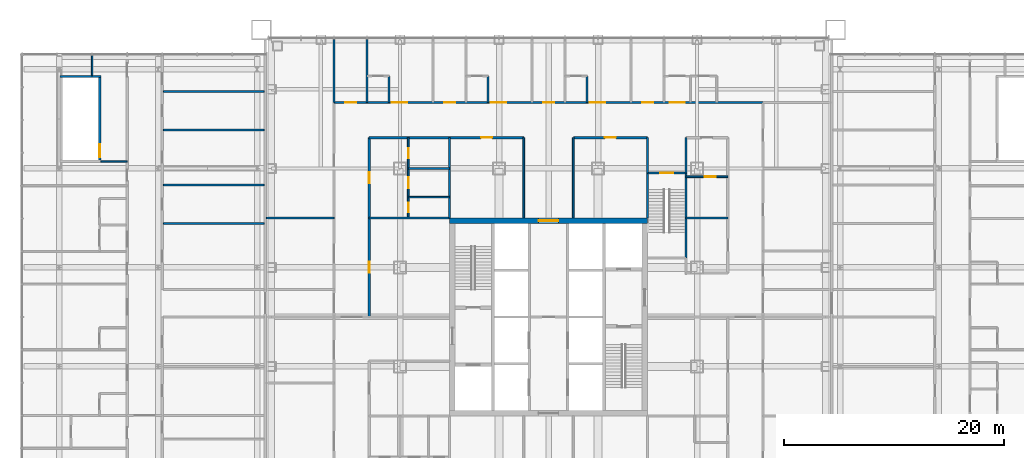
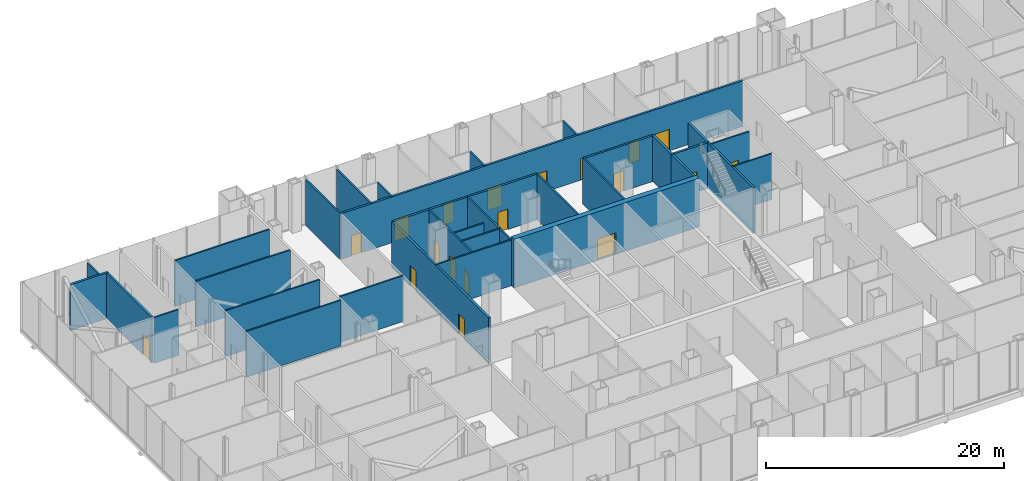
# One storey, part 19 of 28: 33 walls, 19 doors, 19 openings.
"""IFC4 building model written with IfcOpenShell, lengths in metres."""

from ifc_helpers import new_model, si_unit, direction, frame, frame_2d, origin, place, context, subcontext, project, spatial, rectangle, extrude, material, layer, layer_set, type_object, element, fill, save


model = new_model("IFC4")

# Units and contexts
model_context = context("Model", 3, precision=1e-05, world=origin(), true_north=direction((0.0, 1.0)))
body_context = subcontext(model_context, "Body", "Model", "MODEL_VIEW")
ifc_project = project(units=[si_unit("LENGTHUNIT", "METRE"), si_unit("AREAUNIT", "SQUARE_METRE"), si_unit("VOLUMEUNIT", "CUBIC_METRE"), si_unit("PLANEANGLEUNIT", "RADIAN"), si_unit("MASSUNIT", "GRAM", prefix="KILO")], contexts=[model_context])

# Site, building, storey
site_placement = place(None, origin())
site = spatial("IfcSite", under=ifc_project, at=site_placement, CompositionType="ELEMENT")
building_placement = place(site_placement, origin())
building = spatial("IfcBuilding", under=site, at=building_placement, Name="Malebo Sky Hospital", CompositionType="ELEMENT")
storey_placement = place(building_placement, frame((0.0, 0.0, 21.0)))
storey = spatial("IfcBuildingStorey", under=building, at=storey_placement, Name="L04", CompositionType="ELEMENT", Elevation=21.0)

# Wall, opening, door
ifc_material_1 = material(Name="Concrete C80/95", Category="concrete")
ifc_layer_1 = layer(ifc_material_1, 0.5)
ifc_layer_set_1 = layer_set([ifc_layer_1], Name="CORE WALL 500")
wall_type_1 = type_object("IfcWallType", Name="CORE WALL 500", PredefinedType="SHEAR", material=ifc_layer_set_1)
wall_1_placement = place(storey_placement, frame((51.0, 70.75, 0.0), z_axis=(0.0, 0.0, 1.0), x_axis=(1.0, 0.0, 0.0)))
wall_1 = element("IfcWall", 1, at=wall_1_placement, inside=storey, type_object=wall_type_1, Name="Core wall N L04", PredefinedType="SHEAR", context=body_context, shape_type="SweptSolid", body=[
    extrude(rectangle(XDim=18.0, YDim=0.5, at=frame_2d((9.0, 0.0))), origin(), (0.0, 0.0, 1.0), 5.0),
])
opening_1_placement = place(wall_1_placement, frame((8.10009765625, 0.0, 0.0)))
opening_1 = element("IfcOpeningElement", 2, at=opening_1_placement, cuts=wall_1, Name="Opening D06", PredefinedType="OPENING", context=body_context, shape_type="SweptSolid", body=[
    extrude(rectangle(XDim=1.800048828125, YDim=2.199951171875, at=frame_2d((0.89990234375, 1.10009765625))), frame((0.0, 0.260009765625, 0.0), z_axis=(0.0, -1.0, 0.0), x_axis=(1.0, 0.0, 0.0)), (0.0, 0.0, 1.0), 0.52001953125),
])
ifc_material_2 = material(Name="Hardwood-faced door leaf in steel frame", Category="steel")
door_type_1 = type_object("IfcDoorType", Name="LOBBY DOOR PAIR 1800", OperationType="DOUBLE_DOOR_SINGLE_SWING", PredefinedType="DOOR", material=ifc_material_2)
door_1_placement = place(opening_1_placement, origin())
door_1 = element("IfcDoor", 3, at=door_1_placement, inside=storey, type_object=door_type_1, Name="linen store door north", OperationType="DOUBLE_DOOR_SINGLE_SWING", OverallHeight=2.199951171875, OverallWidth=1.800048828125, PredefinedType="DOOR", context=body_context, shape_type="SweptSolid", body=[
    extrude(rectangle(XDim=1.800048828125, YDim=2.199951171875, at=frame_2d((0.89990234375, 1.10009765625))), frame((0.0, 0.02490234375, 0.0), z_axis=(0.0, -1.0, 0.0), x_axis=(1.0, 0.0, 0.0)), (0.0, 0.0, 1.0), 0.050048828125),
])
fill(opening_1, door_1)

# Wall, openings, doors
ifc_material_3 = material(Name="Gypsum board on steel studs", Category="steel")
ifc_layer_2 = layer(ifc_material_3, 0.199951171875)
ifc_layer_set_2 = layer_set([ifc_layer_2], Name="CORRIDOR WALL 200")
wall_type_2 = type_object("IfcWallType", Name="CORRIDOR WALL 200", PredefinedType="PARTITIONING", material=ifc_layer_set_2)
wall_2_placement = place(storey_placement, frame((40.5, 81.5, 0.0), z_axis=(0.0, 0.0, 1.0), x_axis=(1.0, 0.0, 0.0)))
wall_2 = element("IfcWall", 4, at=wall_2_placement, inside=storey, type_object=wall_type_2, Name="Corridor Wall 200 NCO", PredefinedType="PARTITIONING", context=body_context, shape_type="SweptSolid", body=[
    extrude(rectangle(XDim=39.0, YDim=0.199951171875, at=frame_2d((19.5, 0.0))), origin(), (0.0, 0.0, 1.0), 4.699951171875),
])
opening_2_placement = place(wall_2_placement, frame((1.0, 0.0, 0.0)))
opening_2 = element("IfcOpeningElement", 5, at=opening_2_placement, cuts=wall_2, Name="Opening D03", PredefinedType="OPENING", context=body_context, shape_type="SweptSolid", body=[
    extrude(rectangle(XDim=1.0, YDim=2.10009765625, at=frame_2d((0.5, 1.050048828125))), frame((0.0, 0.10986328125, 0.0), z_axis=(0.0, -1.0, 0.0), x_axis=(1.0, 0.0, 0.0)), (0.0, 0.0, 1.0), 0.219970703125),
])
opening_3_placement = place(wall_2_placement, frame((5.25, 0.0, 0.0)))
opening_3 = element("IfcOpeningElement", 6, at=opening_3_placement, cuts=wall_2, Name="Opening D25", PredefinedType="OPENING", context=body_context, shape_type="SweptSolid", body=[
    extrude(rectangle(XDim=1.39990234375, YDim=2.199951171875, at=frame_2d((0.699951171875, 1.10009765625))), frame((0.0, 0.10986328125, 0.0), z_axis=(0.0, -1.0, 0.0), x_axis=(1.0, 0.0, 0.0)), (0.0, 0.0, 1.0), 0.219970703125),
])
opening_4_placement = place(wall_2_placement, frame((10.0, 0.0, 0.0)))
opening_4 = element("IfcOpeningElement", 7, at=opening_4_placement, cuts=wall_2, Name="Opening D03", PredefinedType="OPENING", context=body_context, shape_type="SweptSolid", body=[
    extrude(rectangle(XDim=1.0, YDim=2.10009765625, at=frame_2d((0.5, 1.050048828125))), frame((0.0, 0.10986328125, 0.0), z_axis=(0.0, -1.0, 0.0), x_axis=(1.0, 0.0, 0.0)), (0.0, 0.0, 1.0), 0.219970703125),
])
opening_5_placement = place(wall_2_placement, frame((14.25, 0.0, 0.0)))
opening_5 = element("IfcOpeningElement", 8, at=opening_5_placement, cuts=wall_2, Name="Opening D25", PredefinedType="OPENING", context=body_context, shape_type="SweptSolid", body=[
    extrude(rectangle(XDim=1.39990234375, YDim=2.199951171875, at=frame_2d((0.699951171875, 1.10009765625))), frame((0.0, 0.10986328125, 0.0), z_axis=(0.0, -1.0, 0.0), x_axis=(1.0, 0.0, 0.0)), (0.0, 0.0, 1.0), 0.219970703125),
])
opening_6_placement = place(wall_2_placement, frame((19.0, 0.0, 0.0)))
opening_6 = element("IfcOpeningElement", 9, at=opening_6_placement, cuts=wall_2, Name="Opening D03", PredefinedType="OPENING", context=body_context, shape_type="SweptSolid", body=[
    extrude(rectangle(XDim=1.0, YDim=2.10009765625, at=frame_2d((0.5, 1.050048828125))), frame((0.0, 0.10986328125, 0.0), z_axis=(0.0, -1.0, 0.0), x_axis=(1.0, 0.0, 0.0)), (0.0, 0.0, 1.0), 0.219970703125),
])
opening_7_placement = place(wall_2_placement, frame((23.25, 0.0, 0.0)))
opening_7 = element("IfcOpeningElement", 10, at=opening_7_placement, cuts=wall_2, Name="Opening D25", PredefinedType="OPENING", context=body_context, shape_type="SweptSolid", body=[
    extrude(rectangle(XDim=1.39990234375, YDim=2.199951171875, at=frame_2d((0.699951171875, 1.10009765625))), frame((0.0, 0.10986328125, 0.0), z_axis=(0.0, -1.0, 0.0), x_axis=(1.0, 0.0, 0.0)), (0.0, 0.0, 1.0), 0.219970703125),
])
opening_8_placement = place(wall_2_placement, frame((28.0, 0.0, 0.0)))
opening_8 = element("IfcOpeningElement", 11, at=opening_8_placement, cuts=wall_2, Name="Opening D03", PredefinedType="OPENING", context=body_context, shape_type="SweptSolid", body=[
    extrude(rectangle(XDim=1.0, YDim=2.10009765625, at=frame_2d((0.5, 1.050048828125))), frame((0.0, 0.10986328125, 0.0), z_axis=(0.0, -1.0, 0.0), x_axis=(1.0, 0.0, 0.0)), (0.0, 0.0, 1.0), 0.219970703125),
])
opening_9_placement = place(wall_2_placement, frame((30.5, 0.0, 0.0)))
opening_9 = element("IfcOpeningElement", 12, at=opening_9_placement, cuts=wall_2, Name="Opening D25", PredefinedType="OPENING", context=body_context, shape_type="SweptSolid", body=[
    extrude(rectangle(XDim=1.39990234375, YDim=2.199951171875, at=frame_2d((0.699951171875, 1.10009765625))), frame((0.0, 0.10986328125, 0.0), z_axis=(0.0, -1.0, 0.0), x_axis=(1.0, 0.0, 0.0)), (0.0, 0.0, 1.0), 0.219970703125),
])
door_type_2 = type_object("IfcDoorType", Name="BED DOOR PAIR 1400", OperationType="DOUBLE_DOOR_SINGLE_SWING", PredefinedType="DOOR", material=ifc_material_2)
door_2_placement = place(opening_3_placement, origin())
door_2 = element("IfcDoor", 13, at=door_2_placement, inside=storey, type_object=door_type_2, Name="ICU bed room door", OperationType="DOUBLE_DOOR_SINGLE_SWING", OverallHeight=2.199951171875, OverallWidth=1.39990234375, PredefinedType="DOOR", context=body_context, shape_type="SweptSolid", body=[
    extrude(rectangle(XDim=1.39990234375, YDim=2.199951171875, at=frame_2d((0.699951171875, 1.10009765625))), frame((0.0, 0.02490234375, 0.0), z_axis=(0.0, -1.0, 0.0), x_axis=(1.0, 0.0, 0.0)), (0.0, 0.0, 1.0), 0.050048828125),
])
fill(opening_3, door_2)
door_3_placement = place(opening_5_placement, origin())
door_3 = element("IfcDoor", 14, at=door_3_placement, inside=storey, type_object=door_type_2, Name="ICU bed room door", OperationType="DOUBLE_DOOR_SINGLE_SWING", OverallHeight=2.199951171875, OverallWidth=1.39990234375, PredefinedType="DOOR", context=body_context, shape_type="SweptSolid", body=[
    extrude(rectangle(XDim=1.39990234375, YDim=2.199951171875, at=frame_2d((0.699951171875, 1.10009765625))), frame((0.0, 0.02490234375, 0.0), z_axis=(0.0, -1.0, 0.0), x_axis=(1.0, 0.0, 0.0)), (0.0, 0.0, 1.0), 0.050048828125),
])
fill(opening_5, door_3)
door_4_placement = place(opening_7_placement, origin())
door_4 = element("IfcDoor", 15, at=door_4_placement, inside=storey, type_object=door_type_2, Name="ICU bed room door", OperationType="DOUBLE_DOOR_SINGLE_SWING", OverallHeight=2.199951171875, OverallWidth=1.39990234375, PredefinedType="DOOR", context=body_context, shape_type="SweptSolid", body=[
    extrude(rectangle(XDim=1.39990234375, YDim=2.199951171875, at=frame_2d((0.699951171875, 1.10009765625))), frame((0.0, 0.02490234375, 0.0), z_axis=(0.0, -1.0, 0.0), x_axis=(1.0, 0.0, 0.0)), (0.0, 0.0, 1.0), 0.050048828125),
])
fill(opening_7, door_4)
door_5_placement = place(opening_9_placement, origin())
door_5 = element("IfcDoor", 16, at=door_5_placement, inside=storey, type_object=door_type_2, Name="Anteroom door", OperationType="DOUBLE_DOOR_SINGLE_SWING", OverallHeight=2.199951171875, OverallWidth=1.39990234375, PredefinedType="DOOR", context=body_context, shape_type="SweptSolid", body=[
    extrude(rectangle(XDim=1.39990234375, YDim=2.199951171875, at=frame_2d((0.699951171875, 1.10009765625))), frame((0.0, 0.02490234375, 0.0), z_axis=(0.0, -1.0, 0.0), x_axis=(1.0, 0.0, 0.0)), (0.0, 0.0, 1.0), 0.050048828125),
])
fill(opening_9, door_5)
door_type_3 = type_object("IfcDoorType", Name="ROOM DOOR 1000", OperationType="SINGLE_SWING_LEFT", PredefinedType="DOOR", material=ifc_material_2)
door_6_placement = place(opening_2_placement, origin())
door_6 = element("IfcDoor", 17, at=door_6_placement, inside=storey, type_object=door_type_3, Name="ICU equipment bay door", OperationType="SINGLE_SWING_LEFT", OverallHeight=2.10009765625, OverallWidth=1.0, PredefinedType="DOOR", context=body_context, shape_type="SweptSolid", body=[
    extrude(rectangle(XDim=1.0, YDim=2.10009765625, at=frame_2d((0.5, 1.050048828125))), frame((0.0, 0.02490234375, 0.0), z_axis=(0.0, -1.0, 0.0), x_axis=(1.0, 0.0, 0.0)), (0.0, 0.0, 1.0), 0.050048828125),
])
fill(opening_2, door_6)
door_7_placement = place(opening_4_placement, origin())
door_7 = element("IfcDoor", 18, at=door_7_placement, inside=storey, type_object=door_type_3, Name="ICU nurse observation base door", OperationType="SINGLE_SWING_LEFT", OverallHeight=2.10009765625, OverallWidth=1.0, PredefinedType="DOOR", context=body_context, shape_type="SweptSolid", body=[
    extrude(rectangle(XDim=1.0, YDim=2.10009765625, at=frame_2d((0.5, 1.050048828125))), frame((0.0, 0.02490234375, 0.0), z_axis=(0.0, -1.0, 0.0), x_axis=(1.0, 0.0, 0.0)), (0.0, 0.0, 1.0), 0.050048828125),
])
fill(opening_4, door_7)
door_8_placement = place(opening_6_placement, origin())
door_8 = element("IfcDoor", 19, at=door_8_placement, inside=storey, type_object=door_type_3, Name="ICU equipment bay door", OperationType="SINGLE_SWING_LEFT", OverallHeight=2.10009765625, OverallWidth=1.0, PredefinedType="DOOR", context=body_context, shape_type="SweptSolid", body=[
    extrude(rectangle(XDim=1.0, YDim=2.10009765625, at=frame_2d((0.5, 1.050048828125))), frame((0.0, 0.02490234375, 0.0), z_axis=(0.0, -1.0, 0.0), x_axis=(1.0, 0.0, 0.0)), (0.0, 0.0, 1.0), 0.050048828125),
])
fill(opening_6, door_8)
door_9_placement = place(opening_8_placement, origin())
door_9 = element("IfcDoor", 20, at=door_9_placement, inside=storey, type_object=door_type_3, Name="ICU nurse observation base door", OperationType="SINGLE_SWING_LEFT", OverallHeight=2.10009765625, OverallWidth=1.0, PredefinedType="DOOR", context=body_context, shape_type="SweptSolid", body=[
    extrude(rectangle(XDim=1.0, YDim=2.10009765625, at=frame_2d((0.5, 1.050048828125))), frame((0.0, 0.02490234375, 0.0), z_axis=(0.0, -1.0, 0.0), x_axis=(1.0, 0.0, 0.0)), (0.0, 0.0, 1.0), 0.050048828125),
])
fill(opening_8, door_9)

# Wall, opening, door
wall_3_placement = place(storey_placement, frame((43.699951171875, 78.300048828125, 0.0), z_axis=(0.0, 0.0, 1.0), x_axis=(1.0, 0.0, 0.0)))
wall_3 = element("IfcWall", 21, at=wall_3_placement, inside=storey, type_object=wall_type_2, Name="Corridor Wall 200 NCI1", PredefinedType="PARTITIONING", context=body_context, shape_type="SweptSolid", body=[
    extrude(rectangle(XDim=14.050048828125, YDim=0.199951171875, at=frame_2d((7.02490234375, 0.0))), origin(), (0.0, 0.0, 1.0), 4.699951171875),
])
opening_10_placement = place(wall_3_placement, frame((10.175048828125, 0.0, 0.0)))
opening_10 = element("IfcOpeningElement", 22, at=opening_10_placement, cuts=wall_3, Name="Opening D03", PredefinedType="OPENING", context=body_context, shape_type="SweptSolid", body=[
    extrude(rectangle(XDim=1.0, YDim=2.10009765625, at=frame_2d((0.5, 1.050048828125))), frame((0.0, 0.10986328125, 0.0), z_axis=(0.0, -1.0, 0.0), x_axis=(1.0, 0.0, 0.0)), (0.0, 0.0, 1.0), 0.219970703125),
])
door_10_placement = place(opening_10_placement, origin())
door_10 = element("IfcDoor", 23, at=door_10_placement, inside=storey, type_object=door_type_3, Name="ICU nurse station door", OperationType="SINGLE_SWING_LEFT", OverallHeight=2.10009765625, OverallWidth=1.0, PredefinedType="DOOR", context=body_context, shape_type="SweptSolid", body=[
    extrude(rectangle(XDim=1.0, YDim=2.10009765625, at=frame_2d((0.5, 1.050048828125))), frame((0.0, 0.02490234375, 0.0), z_axis=(0.0, -1.0, 0.0), x_axis=(1.0, 0.0, 0.0)), (0.0, 0.0, 1.0), 0.050048828125),
])
fill(opening_10, door_10)

wall_4_placement = place(storey_placement, frame((62.25, 78.300048828125, 0.0), z_axis=(0.0, 0.0, 1.0), x_axis=(1.0, 0.0, 0.0)))
wall_4 = element("IfcWall", 24, at=wall_4_placement, inside=storey, type_object=wall_type_2, Name="Corridor Wall 200 NCI2", PredefinedType="PARTITIONING", context=body_context, shape_type="SweptSolid", body=[
    extrude(rectangle(XDim=6.75, YDim=0.199951171875, at=frame_2d((3.375, 0.0))), origin(), (0.0, 0.0, 1.0), 4.699951171875),
])
opening_11_placement = place(wall_4_placement, frame((2.875, 0.0, 0.0)))
opening_11 = element("IfcOpeningElement", 25, at=opening_11_placement, cuts=wall_4, Name="Opening D03", PredefinedType="OPENING", context=body_context, shape_type="SweptSolid", body=[
    extrude(rectangle(XDim=1.0, YDim=2.10009765625, at=frame_2d((0.5, 1.050048828125))), frame((0.0, 0.10986328125, 0.0), z_axis=(0.0, -1.0, 0.0), x_axis=(1.0, 0.0, 0.0)), (0.0, 0.0, 1.0), 0.219970703125),
])
door_11_placement = place(opening_11_placement, origin())
door_11 = element("IfcDoor", 26, at=door_11_placement, inside=storey, type_object=door_type_3, Name="Clean utility room door", OperationType="SINGLE_SWING_RIGHT", OverallHeight=2.10009765625, OverallWidth=1.0, PredefinedType="DOOR", context=body_context, shape_type="SweptSolid", body=[
    extrude(rectangle(XDim=1.0, YDim=2.10009765625, at=frame_2d((0.5, 1.050048828125))), frame((0.0, 0.02490234375, 0.0), z_axis=(0.0, -1.0, 0.0), x_axis=(1.0, 0.0, 0.0)), (0.0, 0.0, 1.0), 0.050048828125),
])
fill(opening_11, door_11)

# Wall, openings, doors
wall_5_placement = place(storey_placement, frame((43.699951171875, 62.0, 0.0), z_axis=(0.0, 0.0, 1.0), x_axis=(0.0, 1.0, 0.0)))
wall_5 = element("IfcWall", 27, at=wall_5_placement, inside=storey, type_object=wall_type_2, Name="Corridor Wall 200 WCI2", PredefinedType="PARTITIONING", context=body_context, shape_type="SweptSolid", body=[
    extrude(rectangle(XDim=16.300048828125, YDim=0.199951171875, at=frame_2d((8.14990234375, 0.0))), origin(), (0.0, 0.0, 1.0), 4.699951171875),
])
opening_12_placement = place(wall_5_placement, frame((4.0, 0.0, 0.0)))
opening_12 = element("IfcOpeningElement", 28, at=opening_12_placement, cuts=wall_5, Name="Opening D03", PredefinedType="OPENING", context=body_context, shape_type="SweptSolid", body=[
    extrude(rectangle(XDim=1.0, YDim=2.10009765625, at=frame_2d((0.5, 1.050048828125))), frame((0.0, 0.10986328125, 0.0), z_axis=(0.0, -1.0, 0.0), x_axis=(1.0, 0.0, 0.0)), (0.0, 0.0, 1.0), 0.219970703125),
])
opening_13_placement = place(wall_5_placement, frame((12.14990234375, 0.0, 0.0)))
opening_13 = element("IfcOpeningElement", 29, at=opening_13_placement, cuts=wall_5, Name="Opening D03", PredefinedType="OPENING", context=body_context, shape_type="SweptSolid", body=[
    extrude(rectangle(XDim=1.0, YDim=2.10009765625, at=frame_2d((0.5, 1.050048828125))), frame((0.0, 0.10986328125, 0.0), z_axis=(0.0, -1.0, 0.0), x_axis=(1.0, 0.0, 0.0)), (0.0, 0.0, 1.0), 0.219970703125),
])
door_12_placement = place(opening_12_placement, origin())
door_12 = element("IfcDoor", 30, at=door_12_placement, inside=storey, type_object=door_type_3, Name="Linen store door", OperationType="SINGLE_SWING_LEFT", OverallHeight=2.10009765625, OverallWidth=1.0, PredefinedType="DOOR", context=body_context, shape_type="SweptSolid", body=[
    extrude(rectangle(XDim=1.0, YDim=2.10009765625, at=frame_2d((0.5, 1.050048828125))), frame((0.0, 0.02490234375, 0.0), z_axis=(0.0, -1.0, 0.0), x_axis=(1.0, 0.0, 0.0)), (0.0, 0.0, 1.0), 0.050048828125),
])
fill(opening_12, door_12)
door_13_placement = place(opening_13_placement, origin())
door_13 = element("IfcDoor", 31, at=door_13_placement, inside=storey, type_object=door_type_3, Name="Staff WC vestibule door", OperationType="SINGLE_SWING_RIGHT", OverallHeight=2.10009765625, OverallWidth=1.0, PredefinedType="DOOR", context=body_context, shape_type="SweptSolid", body=[
    extrude(rectangle(XDim=1.0, YDim=2.10009765625, at=frame_2d((0.5, 1.050048828125))), frame((0.0, 0.02490234375, 0.0), z_axis=(0.0, -1.0, 0.0), x_axis=(1.0, 0.0, 0.0)), (0.0, 0.0, 1.0), 0.050048828125),
])
fill(opening_13, door_13)

# Walls
for number, where, z_axis, x_axis, name in (
    (32, (69.0, 75.10009765625, 0.0), (0.0, 0.0, 1.0), (0.0, 1.0, 0.0), "Corridor Wall 200 ST3AW"),
    (33, (72.5, 75.10009765625, 0.0), (0.0, 0.0, 1.0), (0.0, 1.0, 0.0), "Corridor Wall 200 ST3AE"),
):
    element("IfcWall", number, at=place(storey_placement, frame(where, z_axis=z_axis, x_axis=x_axis)), inside=storey, type_object=wall_type_2, Name=name, PredefinedType="PARTITIONING", context=body_context, shape_type="SweptSolid", body=[
        extrude(rectangle(XDim=3.199951171875, YDim=0.199951171875, at=frame_2d((1.60009765625, 0.0))), origin(), (0.0, 0.0, 1.0), 4.699951171875),
    ])
ifc_layer_3 = layer(ifc_material_3, 0.14990234375)
ifc_layer_set_3 = layer_set([ifc_layer_3], Name="PARTITION 150")
wall_type_3 = type_object("IfcWallType", Name="PARTITION 150", PredefinedType="PARTITIONING", material=ifc_layer_set_3)
for number, where, z_axis, x_axis, name in (
    (34, (40.5, 81.5, 0.0), (0.0, 0.0, 1.0), (0.0, 1.0, 0.0), "Partition 150 NP-19.5"),
    (35, (43.5, 81.5, 0.0), (0.0, 0.0, 1.0), (0.0, 1.0, 0.0), "Partition 150 NP-16.5"),
):
    element("IfcWall", number, at=place(storey_placement, frame(where, z_axis=z_axis, x_axis=x_axis)), inside=storey, type_object=wall_type_3, Name=name, PredefinedType="PARTITIONING", context=body_context, shape_type="SweptSolid", body=[
        extrude(rectangle(XDim=5.75, YDim=0.14990234375, at=frame_2d((2.875, 0.0))), origin(), (0.0, 0.0, 1.0), 4.699951171875),
    ])
for number, where, z_axis, x_axis, name in (
    (36, (45.5, 81.5, 0.0), (0.0, 0.0, 1.0), (0.0, 1.0, 0.0), "Partition 150 NE1S"),
    (37, (54.5, 81.5, 0.0), (0.0, 0.0, 1.0), (0.0, 1.0, 0.0), "Partition 150 NE3S"),
    (38, (63.5, 81.5, 0.0), (0.0, 0.0, 1.0), (0.0, 1.0, 0.0), "Partition 150 NE5S"),
):
    element("IfcWall", number, at=place(storey_placement, frame(where, z_axis=z_axis, x_axis=x_axis)), inside=storey, type_object=wall_type_3, Name=name, PredefinedType="PARTITIONING", context=body_context, shape_type="SweptSolid", body=[
        extrude(rectangle(XDim=2.39990234375, YDim=0.14990234375, at=frame_2d((1.199951171875, 0.0))), origin(), (0.0, 0.0, 1.0), 4.699951171875),
    ])
for number, where, z_axis, x_axis, name in (
    (39, (51.0, 71.0, 0.0), (0.0, 0.0, 1.0), (0.0, 1.0, 0.0), "Partition 150 NSPM"),
    (40, (57.75, 71.0, 0.0), (0.0, 0.0, 1.0), (0.0, 1.0, 0.0), "Partition 150 NSPA"),
    (41, (62.25, 71.0, 0.0), (0.0, 0.0, 1.0), (0.0, 1.0, 0.0), "Partition 150 NSPB"),
):
    element("IfcWall", number, at=place(storey_placement, frame(where, z_axis=z_axis, x_axis=x_axis)), inside=storey, type_object=wall_type_3, Name=name, PredefinedType="PARTITIONING", context=body_context, shape_type="SweptSolid", body=[
        extrude(rectangle(XDim=7.300048828125, YDim=0.14990234375, at=frame_2d((3.64990234375, 0.0))), origin(), (0.0, 0.0, 1.0), 4.699951171875),
    ])

# Wall, opening, door
wall_6_placement = place(storey_placement, frame((72.5, 74.75, 0.0), z_axis=(0.0, 0.0, 1.0), x_axis=(1.0, 0.0, 0.0)))
wall_6 = element("IfcWall", 42, at=wall_6_placement, inside=storey, type_object=wall_type_3, Name="Partition 150 NS2F", PredefinedType="PARTITIONING", context=body_context, shape_type="SweptSolid", body=[
    extrude(rectangle(XDim=3.800048828125, YDim=0.14990234375, at=frame_2d((1.89990234375, 0.0))), origin(), (0.0, 0.0, 1.0), 4.699951171875),
])
opening_14_placement = place(wall_6_placement, frame((1.699951171875, 0.0, 0.0)))
opening_14 = element("IfcOpeningElement", 43, at=opening_14_placement, cuts=wall_6, Name="Opening D03", PredefinedType="OPENING", context=body_context, shape_type="SweptSolid", body=[
    extrude(rectangle(XDim=1.0, YDim=2.10009765625, at=frame_2d((0.5, 1.050048828125))), frame((0.0, 0.0849609375, 0.0), z_axis=(0.0, -1.0, 0.0), x_axis=(1.0, 0.0, 0.0)), (0.0, 0.0, 1.0), 0.169921875),
])
door_14_placement = place(opening_14_placement, origin())
door_14 = element("IfcDoor", 44, at=door_14_placement, inside=storey, type_object=door_type_3, Name="Accessible WC door", OperationType="SINGLE_SWING_RIGHT", OverallHeight=2.10009765625, OverallWidth=1.0, PredefinedType="DOOR", context=body_context, shape_type="SweptSolid", body=[
    extrude(rectangle(XDim=1.0, YDim=2.10009765625, at=frame_2d((0.5, 1.050048828125))), frame((0.0, 0.02490234375, 0.0), z_axis=(0.0, -1.0, 0.0), x_axis=(1.0, 0.0, 0.0)), (0.0, 0.0, 1.0), 0.050048828125),
])
fill(opening_14, door_14)

# Walls
wall_7_placement = place(storey_placement, frame((40.5, 71.0, 0.0), z_axis=(0.0, 0.0, 1.0), x_axis=(-1.0, 0.0, 0.0)))
element("IfcWall", 45, at=wall_7_placement, inside=storey, type_object=wall_type_3, Name="Partition 150 WP+9.0", PredefinedType="PARTITIONING", context=body_context, shape_type="SweptSolid", body=[
    extrude(rectangle(XDim=6.14990234375, YDim=0.14990234375, at=frame_2d((3.074951171875, 0.0))), origin(), (0.0, 0.0, 1.0), 4.699951171875),
])
wall_8_placement = place(storey_placement, frame((51.0, 71.0, 0.0), z_axis=(0.0, 0.0, 1.0), x_axis=(-1.0, 0.0, 0.0)))
element("IfcWall", 46, at=wall_8_placement, inside=storey, type_object=wall_type_3, Name="Partition 150 WSP9", PredefinedType="PARTITIONING", context=body_context, shape_type="SweptSolid", body=[
    extrude(rectangle(XDim=7.300048828125, YDim=0.14990234375, at=frame_2d((3.64990234375, 0.0))), origin(), (0.0, 0.0, 1.0), 4.699951171875),
])

# Wall, openings, doors
wall_9_placement = place(storey_placement, frame((47.25, 71.0, 0.0), z_axis=(0.0, 0.0, 1.0), x_axis=(0.0, 1.0, 0.0)))
wall_9 = element("IfcWall", 47, at=wall_9_placement, inside=storey, type_object=wall_type_3, Name="Partition 150 WS2F", PredefinedType="PARTITIONING", context=body_context, shape_type="SweptSolid", body=[
    extrude(rectangle(XDim=7.300048828125, YDim=0.14990234375, at=frame_2d((3.64990234375, 0.0))), origin(), (0.0, 0.0, 1.0), 4.699951171875),
])
opening_15_placement = place(wall_9_placement, frame((0.5, 0.0, 0.0)))
opening_15 = element("IfcOpeningElement", 48, at=opening_15_placement, cuts=wall_9, Name="Opening D04", PredefinedType="OPENING", context=body_context, shape_type="SweptSolid", body=[
    extrude(rectangle(XDim=0.89990234375, YDim=2.10009765625, at=frame_2d((0.449951171875, 1.050048828125))), frame((0.0, 0.0849609375, 0.0), z_axis=(0.0, -1.0, 0.0), x_axis=(1.0, 0.0, 0.0)), (0.0, 0.0, 1.0), 0.169921875),
])
opening_16_placement = place(wall_9_placement, frame((2.699951171875, 0.0, 0.0)))
opening_16 = element("IfcOpeningElement", 49, at=opening_16_placement, cuts=wall_9, Name="Opening D03", PredefinedType="OPENING", context=body_context, shape_type="SweptSolid", body=[
    extrude(rectangle(XDim=1.0, YDim=2.10009765625, at=frame_2d((0.5, 1.050048828125))), frame((0.0, 0.0849609375, 0.0), z_axis=(0.0, -1.0, 0.0), x_axis=(1.0, 0.0, 0.0)), (0.0, 0.0, 1.0), 0.169921875),
])
opening_17_placement = place(wall_9_placement, frame((5.449951171875, 0.0, 0.0)))
opening_17 = element("IfcOpeningElement", 50, at=opening_17_placement, cuts=wall_9, Name="Opening D04", PredefinedType="OPENING", context=body_context, shape_type="SweptSolid", body=[
    extrude(rectangle(XDim=0.89990234375, YDim=2.10009765625, at=frame_2d((0.449951171875, 1.050048828125))), frame((0.0, 0.0849609375, 0.0), z_axis=(0.0, -1.0, 0.0), x_axis=(1.0, 0.0, 0.0)), (0.0, 0.0, 1.0), 0.169921875),
])
door_15_placement = place(opening_16_placement, origin())
door_15 = element("IfcDoor", 51, at=door_15_placement, inside=storey, type_object=door_type_3, Name="Accessible WC door", OperationType="SINGLE_SWING_LEFT", OverallHeight=2.10009765625, OverallWidth=1.0, PredefinedType="DOOR", context=body_context, shape_type="SweptSolid", body=[
    extrude(rectangle(XDim=1.0, YDim=2.10009765625, at=frame_2d((0.5, 1.050048828125))), frame((0.0, 0.02490234375, 0.0), z_axis=(0.0, -1.0, 0.0), x_axis=(1.0, 0.0, 0.0)), (0.0, 0.0, 1.0), 0.050048828125),
])
fill(opening_16, door_15)
door_type_4 = type_object("IfcDoorType", Name="ROOM DOOR 900", OperationType="SINGLE_SWING_LEFT", PredefinedType="DOOR", material=ifc_material_2)
door_16_placement = place(opening_15_placement, origin())
door_16 = element("IfcDoor", 52, at=door_16_placement, inside=storey, type_object=door_type_4, Name="Staff WC door", OperationType="SINGLE_SWING_LEFT", OverallHeight=2.10009765625, OverallWidth=0.89990234375, PredefinedType="DOOR", context=body_context, shape_type="SweptSolid", body=[
    extrude(rectangle(XDim=0.89990234375, YDim=2.10009765625, at=frame_2d((0.449951171875, 1.050048828125))), frame((0.0, 0.02490234375, 0.0), z_axis=(0.0, -1.0, 0.0), x_axis=(1.0, 0.0, 0.0)), (0.0, 0.0, 1.0), 0.050048828125),
])
fill(opening_15, door_16)
door_17_placement = place(opening_17_placement, origin())
door_17 = element("IfcDoor", 53, at=door_17_placement, inside=storey, type_object=door_type_4, Name="Staff WC door", OperationType="SINGLE_SWING_RIGHT", OverallHeight=2.10009765625, OverallWidth=0.89990234375, PredefinedType="DOOR", context=body_context, shape_type="SweptSolid", body=[
    extrude(rectangle(XDim=0.89990234375, YDim=2.10009765625, at=frame_2d((0.449951171875, 1.050048828125))), frame((0.0, 0.02490234375, 0.0), z_axis=(0.0, -1.0, 0.0), x_axis=(1.0, 0.0, 0.0)), (0.0, 0.0, 1.0), 0.050048828125),
])
fill(opening_17, door_17)

# Walls
wall_10_placement = place(storey_placement, frame((51.0, 72.89990234375, 0.0), z_axis=(0.0, 0.0, 1.0), x_axis=(-1.0, 0.0, 0.0)))
element("IfcWall", 54, at=wall_10_placement, inside=storey, type_object=wall_type_3, Name="Partition 150 WS2W1", PredefinedType="PARTITIONING", context=body_context, shape_type="SweptSolid", body=[
    extrude(rectangle(XDim=3.75, YDim=0.14990234375, at=frame_2d((1.875, 0.0))), origin(), (0.0, 0.0, 1.0), 4.699951171875),
])
wall_11_placement = place(storey_placement, frame((51.0, 75.5, 0.0), z_axis=(0.0, 0.0, 1.0), x_axis=(-1.0, 0.0, 0.0)))
element("IfcWall", 55, at=wall_11_placement, inside=storey, type_object=wall_type_3, Name="Partition 150 WS2W2", PredefinedType="PARTITIONING", context=body_context, shape_type="SweptSolid", body=[
    extrude(rectangle(XDim=3.75, YDim=0.14990234375, at=frame_2d((1.875, 0.0))), origin(), (0.0, 0.0, 1.0), 3.699951171875),
])
wall_12_placement = place(storey_placement, frame((72.5, 71.0, 0.0), z_axis=(0.0, 0.0, 1.0), x_axis=(1.0, 0.0, 0.0)))
element("IfcWall", 56, at=wall_12_placement, inside=storey, type_object=wall_type_3, Name="Partition 150 ESPM", PredefinedType="PARTITIONING", context=body_context, shape_type="SweptSolid", body=[
    extrude(rectangle(XDim=3.800048828125, YDim=0.14990234375, at=frame_2d((1.89990234375, 0.0))), origin(), (0.0, 0.0, 1.0), 4.699951171875),
])
wall_13_placement = place(storey_placement, frame((19.300048828125, 76.14990234375, 0.0), z_axis=(0.0, 0.0, 1.0), x_axis=(1.0, 0.0, 0.0)))
element("IfcWall", 57, at=wall_13_placement, inside=storey, type_object=wall_type_3, Name="Partition 150 WLS", PredefinedType="PARTITIONING", context=body_context, shape_type="SweptSolid", body=[
    extrude(rectangle(XDim=2.39306640625, YDim=0.14990234375, at=frame_2d((1.196533203125, 0.0))), origin(), (0.0, 0.0, 1.0), 4.699951171875),
])
wall_14_placement = place(storey_placement, frame((18.50390625, 83.949951171875, 0.0), z_axis=(0.0, 0.0, 1.0), x_axis=(0.0, 1.0, 0.0)))
element("IfcWall", 58, at=wall_14_placement, inside=storey, type_object=wall_type_3, Name="Partition 150 WLW", PredefinedType="PARTITIONING", context=body_context, shape_type="SweptSolid", body=[
    extrude(rectangle(XDim=1.900146484375, YDim=0.14990234375, at=frame_2d((0.9501953125, 0.0))), origin(), (0.0, 0.0, 1.0), 4.699951171875),
])
for number, where, z_axis, x_axis, name in (
    (59, (24.98193359375, 70.5, 0.0), (0.0, 0.0, 1.0), (1.0, 0.0, 0.0), "Partition 150 WIH08"),
    (60, (24.98193359375, 74.0, 0.0), (0.0, 0.0, 1.0), (1.0, 0.0, 0.0), "Partition 150 WIH09"),
    (61, (24.98193359375, 79.0, 0.0), (0.0, 0.0, 1.0), (1.0, 0.0, 0.0), "Partition 150 WIH10"),
    (62, (24.98193359375, 82.5, 0.0), (0.0, 0.0, 1.0), (1.0, 0.0, 0.0), "Partition 150 WIH11"),
):
    element("IfcWall", number, at=place(storey_placement, frame(where, z_axis=z_axis, x_axis=x_axis)), inside=storey, type_object=wall_type_3, Name=name, PredefinedType="PARTITIONING", context=body_context, shape_type="SweptSolid", body=[
        extrude(rectangle(XDim=9.16796875, YDim=0.14990234375, at=frame_2d((4.583984375, 0.0))), origin(), (0.0, 0.0, 1.0), 4.699951171875),
    ])
ifc_material_4 = material(Name="Concrete C40/50", Category="concrete")
ifc_layer_4 = layer(ifc_material_4, 0.199951171875)
ifc_layer_set_4 = layer_set([ifc_layer_4], Name="STAIR ENCLOSURE WALL 200")
wall_type_4 = type_object("IfcWallType", Name="STAIR ENCLOSURE WALL 200", PredefinedType="SOLIDWALL", material=ifc_layer_set_4)
wall_15_placement = place(storey_placement, frame((15.60009765625, 83.85009765625, 0.0), z_axis=(0.0, 0.0, 1.0), x_axis=(1.0, 0.0, 0.0)))
element("IfcWall", 63, at=wall_15_placement, inside=storey, type_object=wall_type_4, Name="Stair Enclosure Wall 200 WSN", PredefinedType="SOLIDWALL", context=body_context, shape_type="SweptSolid", body=[
    extrude(rectangle(XDim=3.699951171875, YDim=0.199951171875, at=frame_2d((1.85009765625, 0.0))), origin(), (0.0, 0.0, 1.0), 4.699951171875),
])

# Wall, opening, door
wall_16_placement = place(storey_placement, frame((19.199951171875, 76.25, 0.0), z_axis=(0.0, 0.0, 1.0), x_axis=(0.0, 1.0, 0.0)))
wall_16 = element("IfcWall", 64, at=wall_16_placement, inside=storey, type_object=wall_type_4, Name="Stair Enclosure Wall 200 WSE", PredefinedType="SOLIDWALL", context=body_context, shape_type="SweptSolid", body=[
    extrude(rectangle(XDim=7.5, YDim=0.199951171875, at=frame_2d((3.75, 0.0))), origin(), (0.0, 0.0, 1.0), 4.699951171875),
])
opening_18_placement = place(wall_16_placement, frame((0.25, 0.0, 0.0)))
opening_18 = element("IfcOpeningElement", 65, at=opening_18_placement, cuts=wall_16, Name="Opening D08", PredefinedType="OPENING", context=body_context, shape_type="SweptSolid", body=[
    extrude(rectangle(XDim=1.199951171875, YDim=2.10009765625, at=frame_2d((0.60009765625, 1.050048828125))), frame((0.0, 0.10986328125, 0.0), z_axis=(0.0, -1.0, 0.0), x_axis=(1.0, 0.0, 0.0)), (0.0, 0.0, 1.0), 0.219970703125),
])
door_type_5 = type_object("IfcDoorType", Name="STAIR DOOR 1200", OperationType="SINGLE_SWING_LEFT", PredefinedType="DOOR", material=ifc_material_2)
door_18_placement = place(opening_18_placement, origin())
door_18 = element("IfcDoor", 66, at=door_18_placement, inside=storey, type_object=door_type_5, Name="Stair WS door", OperationType="SINGLE_SWING_LEFT", OverallHeight=2.10009765625, OverallWidth=1.199951171875, PredefinedType="DOOR", context=body_context, shape_type="SweptSolid", body=[
    extrude(rectangle(XDim=1.199951171875, YDim=2.10009765625, at=frame_2d((0.60009765625, 1.050048828125))), frame((0.0, 0.02490234375, 0.0), z_axis=(0.0, -1.0, 0.0), x_axis=(1.0, 0.0, 0.0)), (0.0, 0.0, 1.0), 0.050048828125),
])
fill(opening_18, door_18)

# Walls
wall_17_placement = place(storey_placement, frame((69.0, 71.0, 0.0), z_axis=(0.0, 0.0, 1.0), x_axis=(0.0, 1.0, 0.0)))
element("IfcWall", 67, at=wall_17_placement, inside=storey, type_object=wall_type_4, Name="Stair Enclosure Wall 200 ST3W", PredefinedType="SOLIDWALL", context=body_context, shape_type="SweptSolid", body=[
    extrude(rectangle(XDim=4.10009765625, YDim=0.199951171875, at=frame_2d((2.050048828125, 0.0))), origin(), (0.0, 0.0, 1.0), 4.699951171875),
])
wall_18_placement = place(storey_placement, frame((72.5, 67.35009765625, 0.0), z_axis=(0.0, 0.0, 1.0), x_axis=(0.0, 1.0, 0.0)))
element("IfcWall", 68, at=wall_18_placement, inside=storey, type_object=wall_type_4, Name="Stair Enclosure Wall 200 ST3E", PredefinedType="SOLIDWALL", context=body_context, shape_type="SweptSolid", body=[
    extrude(rectangle(XDim=7.75, YDim=0.199951171875, at=frame_2d((3.875, 0.0))), origin(), (0.0, 0.0, 1.0), 4.699951171875),
])

# Wall, opening, door
wall_19_placement = place(storey_placement, frame((69.0, 75.10009765625, 0.0), z_axis=(0.0, 0.0, 1.0), x_axis=(1.0, 0.0, 0.0)))
wall_19 = element("IfcWall", 69, at=wall_19_placement, inside=storey, type_object=wall_type_4, Name="Stair Enclosure Wall 200 ST3N", PredefinedType="SOLIDWALL", context=body_context, shape_type="SweptSolid", body=[
    extrude(rectangle(XDim=3.5, YDim=0.199951171875, at=frame_2d((1.75, 0.0))), origin(), (0.0, 0.0, 1.0), 4.699951171875),
])
opening_19_placement = place(wall_19_placement, frame((1.14990234375, 0.0, 0.0)))
opening_19 = element("IfcOpeningElement", 70, at=opening_19_placement, cuts=wall_19, Name="Opening D08", PredefinedType="OPENING", context=body_context, shape_type="SweptSolid", body=[
    extrude(rectangle(XDim=1.199951171875, YDim=2.10009765625, at=frame_2d((0.60009765625, 1.050048828125))), frame((0.0, 0.10986328125, 0.0), z_axis=(0.0, -1.0, 0.0), x_axis=(1.0, 0.0, 0.0)), (0.0, 0.0, 1.0), 0.219970703125),
])
door_19_placement = place(opening_19_placement, origin())
door_19 = element("IfcDoor", 71, at=door_19_placement, inside=storey, type_object=door_type_5, Name="Stair S3 door", OperationType="SINGLE_SWING_LEFT", OverallHeight=2.10009765625, OverallWidth=1.199951171875, PredefinedType="DOOR", context=body_context, shape_type="SweptSolid", body=[
    extrude(rectangle(XDim=1.199951171875, YDim=2.10009765625, at=frame_2d((0.60009765625, 1.050048828125))), frame((0.0, 0.02490234375, 0.0), z_axis=(0.0, -1.0, 0.0), x_axis=(1.0, 0.0, 0.0)), (0.0, 0.0, 1.0), 0.050048828125),
])
fill(opening_19, door_19)

save(model, "model.ifc")
